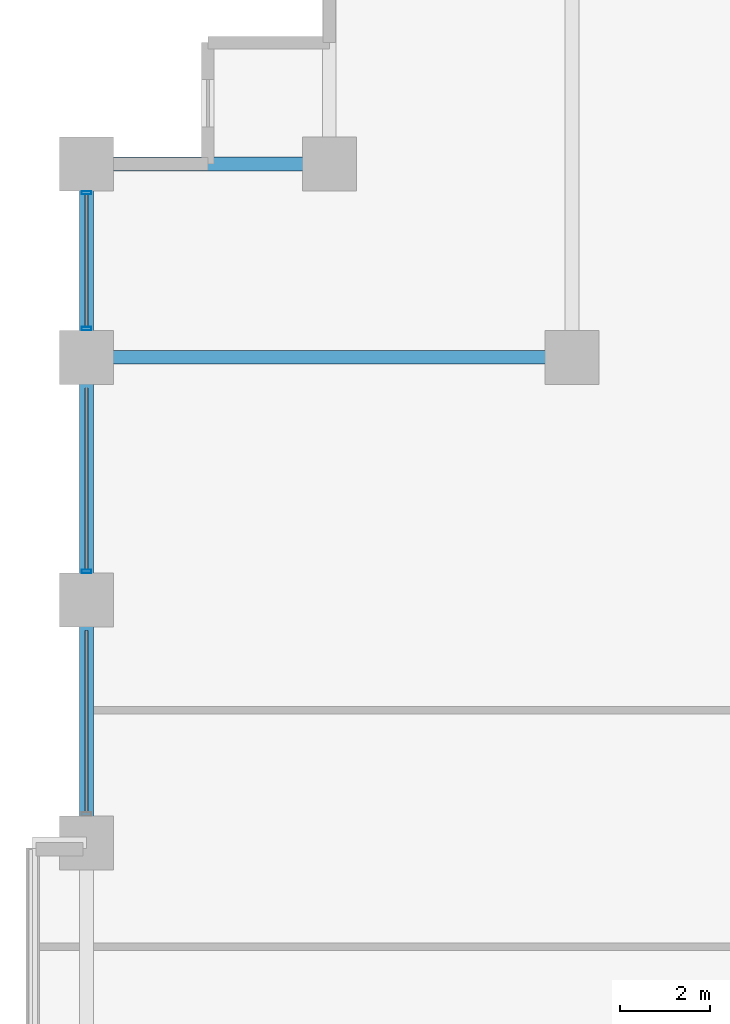
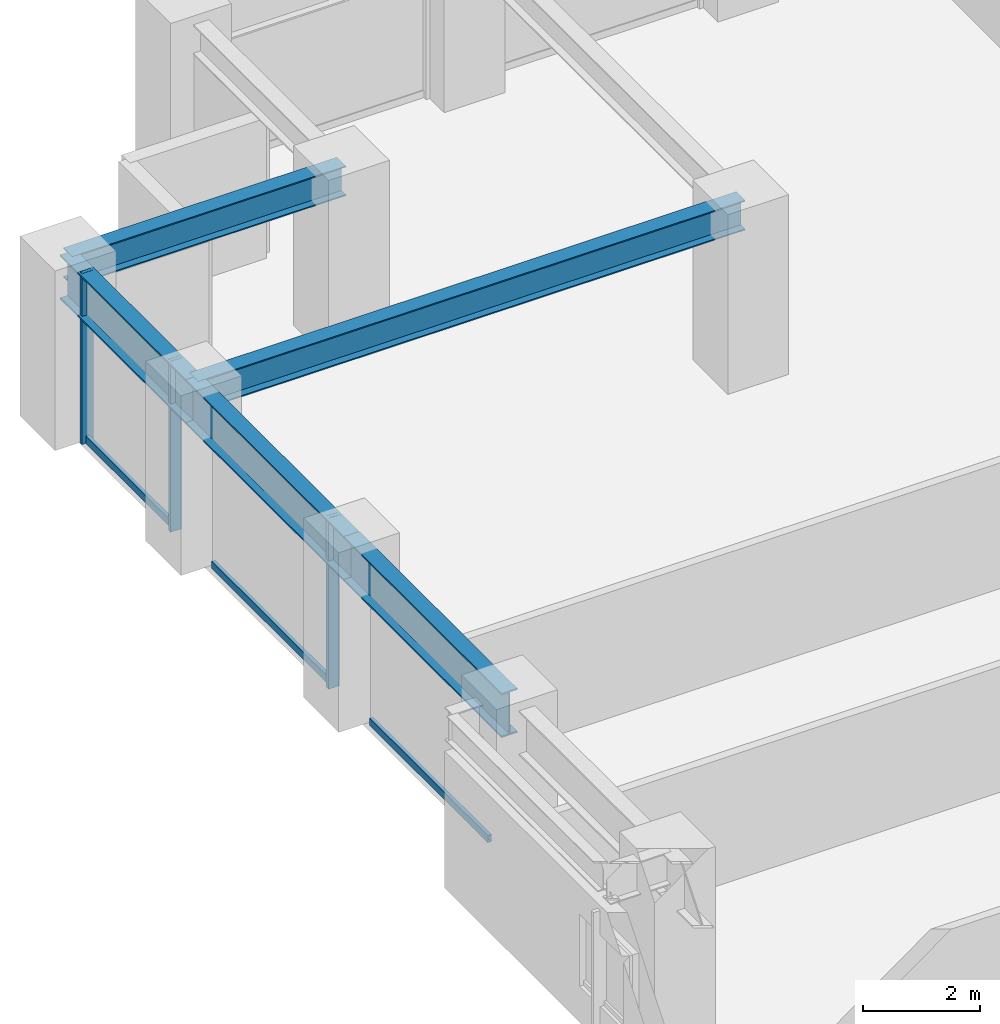
# One storey, part 10 of 26: 6 members, 5 beams, 1 element without a shape of its own.
"""IFC4 building model written with IfcOpenShell, lengths in metres."""

from ifc_helpers import new_model, si_unit, direction, frame, origin, origin_2d, place, context, subcontext, project, spatial, hollow_rectangle, i_section, extrude, material, layer, layer_set, material_profile, profile_set, type_object, element, aggregate, save


model = new_model("IFC4")

# Units and contexts
model_context = context("Model", 3, precision=1e-05, world=origin(), true_north=direction((0.0, 1.0)))
body_context = subcontext(model_context, "Body", "Model", "MODEL_VIEW")
ifc_project = project(units=[si_unit("LENGTHUNIT", "METRE"), si_unit("AREAUNIT", "SQUARE_METRE"), si_unit("VOLUMEUNIT", "CUBIC_METRE"), si_unit("PLANEANGLEUNIT", "RADIAN"), si_unit("MASSUNIT", "GRAM", prefix="KILO")], contexts=[model_context])

# Site, building, storey
site_placement = place(None, origin())
site = spatial("IfcSite", under=ifc_project, at=site_placement, CompositionType="ELEMENT")
building_placement = place(site_placement, origin())
building = spatial("IfcBuilding", under=site, at=building_placement, Name="Surkhivell Harbour Commons", CompositionType="ELEMENT")
storey_placement = place(building_placement, frame((0.0, 0.0, 60.0)))
storey = spatial("IfcBuildingStorey", under=building, at=storey_placement, Name="L15", CompositionType="ELEMENT", Elevation=60.0)

# Beams
ifc_material_1 = material(Name="Steel S355", Category="steel")
ifc_material_profile_1 = material_profile(ifc_material_1, i_section(OverallWidth=0.306884765625, OverallDepth=0.6201171875, WebThickness=0.01416015625, FlangeThickness=0.023681640625, at=origin_2d()), Name="UB610x305x179")
ifc_profile_set_1 = profile_set([ifc_material_profile_1], Name="Steel S355")
beam_type_1 = type_object("IfcBeamType", Name="BM-GRD-610A", PredefinedType="BEAM", material=ifc_profile_set_1)
beam_1_placement = place(storey_placement, frame((-32.39990234375, 16.199951171875, 3.260009765625), z_axis=(1.0, 0.0, 0.0), x_axis=(0.0, 1.0, 0.0)))
element("IfcBeam", 1, at=beam_1_placement, inside=storey, type_object=beam_type_1, Name="L15 Floor Girder (-32.4,16.2)", PredefinedType="BEAM", context=body_context, shape_type="SweptSolid", body=[
    extrude(i_section(OverallWidth=0.306884765625, OverallDepth=0.6201171875, WebThickness=0.01416015625, FlangeThickness=0.023681640625, at=origin_2d()), origin(), (0.0, 0.0, 1.0), 10.7998046875),
])
beam_2_placement = place(storey_placement, frame((-32.39990234375, 20.5, 3.260009765625), z_axis=(1.0, 0.0, 0.0), x_axis=(0.0, 1.0, 0.0)))
element("IfcBeam", 2, at=beam_2_placement, inside=storey, type_object=beam_type_1, Name="L15 Floor Girder (-32.4,20.5)", PredefinedType="BEAM", context=body_context, shape_type="SweptSolid", body=[
    extrude(i_section(OverallWidth=0.306884765625, OverallDepth=0.6201171875, WebThickness=0.01416015625, FlangeThickness=0.023681640625, at=origin_2d()), origin(), (0.0, 0.0, 1.0), 5.39990234375),
])
ifc_material_2 = material(Name="Steel S460", Category="steel")
ifc_material_profile_2 = material_profile(ifc_material_2, i_section(OverallWidth=0.30810546875, OverallDepth=0.927001953125, WebThickness=0.01953125, FlangeThickness=0.031982421875, at=origin_2d()), Name="UB914x305x289")
ifc_profile_set_2 = profile_set([ifc_material_profile_2], Name="Steel S460")
beam_type_2 = type_object("IfcBeamType", Name="BM-SPN-914B", PredefinedType="SPANDREL", material=ifc_profile_set_2)
beam_3_placement = place(storey_placement, frame((-32.39990234375, 5.39990234375, 3.1064453125), z_axis=(0.0, 1.0, 0.0), x_axis=(-1.0, 0.0, 0.0)))
element("IfcBeam", 3, at=beam_3_placement, inside=storey, type_object=beam_type_2, Name="L15 Tube Spandrel (-32.4,5.4)", PredefinedType="SPANDREL", context=body_context, shape_type="SweptSolid", body=[
    extrude(i_section(OverallWidth=0.30810546875, OverallDepth=0.927001953125, WebThickness=0.01953125, FlangeThickness=0.031982421875, at=origin_2d()), origin(), (0.0, 0.0, 1.0), 5.400146484375),
])
beam_4_placement = place(storey_placement, frame((-32.39990234375, 10.800048828125, 3.1064453125), z_axis=(0.0, 1.0, 0.0), x_axis=(-1.0, 0.0, 0.0)))
element("IfcBeam", 4, at=beam_4_placement, inside=storey, type_object=beam_type_2, Name="L15 Tube Spandrel (-32.4,10.8)", PredefinedType="SPANDREL", context=body_context, shape_type="SweptSolid", body=[
    extrude(i_section(OverallWidth=0.30810546875, OverallDepth=0.927001953125, WebThickness=0.01953125, FlangeThickness=0.031982421875, at=origin_2d()), origin(), (0.0, 0.0, 1.0), 5.39990234375),
])
beam_5_placement = place(storey_placement, frame((-32.39990234375, 16.199951171875, 3.1064453125), z_axis=(0.0, 1.0, 0.0), x_axis=(-1.0, 0.0, 0.0)))
element("IfcBeam", 5, at=beam_5_placement, inside=storey, type_object=beam_type_2, Name="L15 Tube Spandrel (-32.4,16.2)", PredefinedType="SPANDREL", context=body_context, shape_type="SweptSolid", body=[
    extrude(i_section(OverallWidth=0.30810546875, OverallDepth=0.927001953125, WebThickness=0.01953125, FlangeThickness=0.031982421875, at=origin_2d()), origin(), (0.0, 0.0, 1.0), 4.300048828125),
])

# Curtain wall, members
ifc_material_3 = material(Name="Anodised pale-metal aluminium and insulated glazing", Category="aluminium")
ifc_layer = layer(ifc_material_3, 0.219970703125)
ifc_layer_set = layer_set([ifc_layer], Name="Anodised pale-metal aluminium and insulated glazing")
curtain_wall_type = type_object("IfcCurtainWallType", Name="CW-SYS-Z1", PredefinedType="NOTDEFINED", material=ifc_layer_set)
curtain_wall_placement = place(storey_placement, origin())
curtain_wall = element("IfcCurtainWall", 6, at=curtain_wall_placement, inside=storey, type_object=curtain_wall_type, Name="L15 Curtain Wall CW-L15-E12R2", PredefinedType="NOTDEFINED")
ifc_material_4 = material(Name="Anodised pale-metal aluminium alloy 6063-T6", Category="aluminium")
ifc_material_profile_3 = material_profile(ifc_material_4, hollow_rectangle(XDim=0.074951171875, YDim=0.219970703125, WallThickness=0.00390625, at=origin_2d()), Name="ALU-MULL-75x220")
ifc_profile_set_3 = profile_set([ifc_material_profile_3], Name="Anodised pale-metal aluminium alloy 6063-T6")
member_type_1 = type_object("IfcMemberType", Name="CWM-220", PredefinedType="MULLION", material=ifc_profile_set_3)
member_1_placement = place(storey_placement, frame((-32.39990234375, 11.439453125, 0.0), z_axis=(0.0, 0.0, 1.0), x_axis=(0.0, 1.0, 0.0)))
member_1 = element("IfcMember", 7, at=member_1_placement, type_object=member_type_1, Name="CW-Z1 mullion 2", PredefinedType="MULLION", context=body_context, shape_type="SweptSolid", body=[
    extrude(hollow_rectangle(XDim=0.074951171875, YDim=0.219970703125, WallThickness=0.00390625, at=origin_2d()), origin(), (0.0, 0.0, 1.0), 3.570068359375),
])
member_2_placement = place(storey_placement, frame((-32.39990234375, 16.839599609375, 0.0), z_axis=(0.0, 0.0, 1.0), x_axis=(0.0, 1.0, 0.0)))
member_2 = element("IfcMember", 8, at=member_2_placement, type_object=member_type_1, Name="CW-Z1 mullion 3", PredefinedType="MULLION", context=body_context, shape_type="SweptSolid", body=[
    extrude(hollow_rectangle(XDim=0.074951171875, YDim=0.219970703125, WallThickness=0.00390625, at=origin_2d()), origin(), (0.0, 0.0, 1.0), 3.570068359375),
])
member_3_placement = place(storey_placement, frame((-32.39990234375, 19.860595703125, 0.0), z_axis=(0.0, 0.0, 1.0), x_axis=(0.0, 1.0, 0.0)))
member_3 = element("IfcMember", 9, at=member_3_placement, type_object=member_type_1, Name="CW-Z1 mullion 4", PredefinedType="MULLION", context=body_context, shape_type="SweptSolid", body=[
    extrude(hollow_rectangle(XDim=0.074951171875, YDim=0.219970703125, WallThickness=0.00390625, at=origin_2d()), origin(), (0.0, 0.0, 1.0), 3.570068359375),
])
ifc_material_profile_4 = material_profile(ifc_material_4, hollow_rectangle(XDim=0.074951171875, YDim=0.14990234375, WallThickness=0.00341796875, at=origin_2d()), Name="ALU-TRAN-75x150")
ifc_profile_set_4 = profile_set([ifc_material_profile_4], Name="Anodised pale-metal aluminium alloy 6063-T6")
member_type_2 = type_object("IfcMemberType", Name="CWT-150", PredefinedType="USERDEFINED", material=ifc_profile_set_4)
member_4_placement = place(storey_placement, frame((-32.39990234375, 6.076904296875, 0.074951171875), z_axis=(0.0, 1.0, 0.0), x_axis=(-1.0, 0.0, 0.0)))
member_4 = element("IfcMember", 10, at=member_4_placement, type_object=member_type_2, Name="CW-Z1 transom 1.1", ObjectType="TRANSOM", PredefinedType="USERDEFINED", context=body_context, shape_type="SweptSolid", body=[
    extrude(hollow_rectangle(XDim=0.074951171875, YDim=0.14990234375, WallThickness=0.00341796875, at=origin_2d()), origin(), (0.0, 0.0, 1.0), 4.046142578125),
])
member_5_placement = place(storey_placement, frame((-32.39990234375, 11.47705078125, 0.074951171875), z_axis=(0.0, 1.0, 0.0), x_axis=(-1.0, 0.0, 0.0)))
member_5 = element("IfcMember", 11, at=member_5_placement, type_object=member_type_2, Name="CW-Z1 transom 2.1", ObjectType="TRANSOM", PredefinedType="USERDEFINED", context=body_context, shape_type="SweptSolid", body=[
    extrude(hollow_rectangle(XDim=0.074951171875, YDim=0.14990234375, WallThickness=0.00341796875, at=origin_2d()), origin(), (0.0, 0.0, 1.0), 4.0458984375),
])
member_6_placement = place(storey_placement, frame((-32.39990234375, 16.876953125, 0.074951171875), z_axis=(0.0, 1.0, 0.0), x_axis=(-1.0, 0.0, 0.0)))
member_6 = element("IfcMember", 12, at=member_6_placement, type_object=member_type_2, Name="CW-Z1 transom 3.1", ObjectType="TRANSOM", PredefinedType="USERDEFINED", context=body_context, shape_type="SweptSolid", body=[
    extrude(hollow_rectangle(XDim=0.074951171875, YDim=0.14990234375, WallThickness=0.00341796875, at=origin_2d()), origin(), (0.0, 0.0, 1.0), 2.946044921875),
])
aggregate(curtain_wall, [member_4, member_1, member_5, member_2, member_3, member_6])

save(model, "model.ifc")
